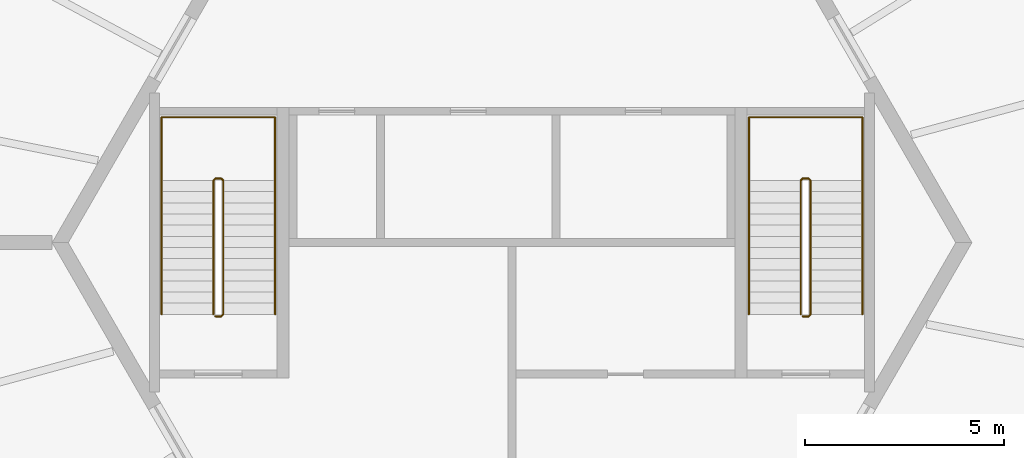
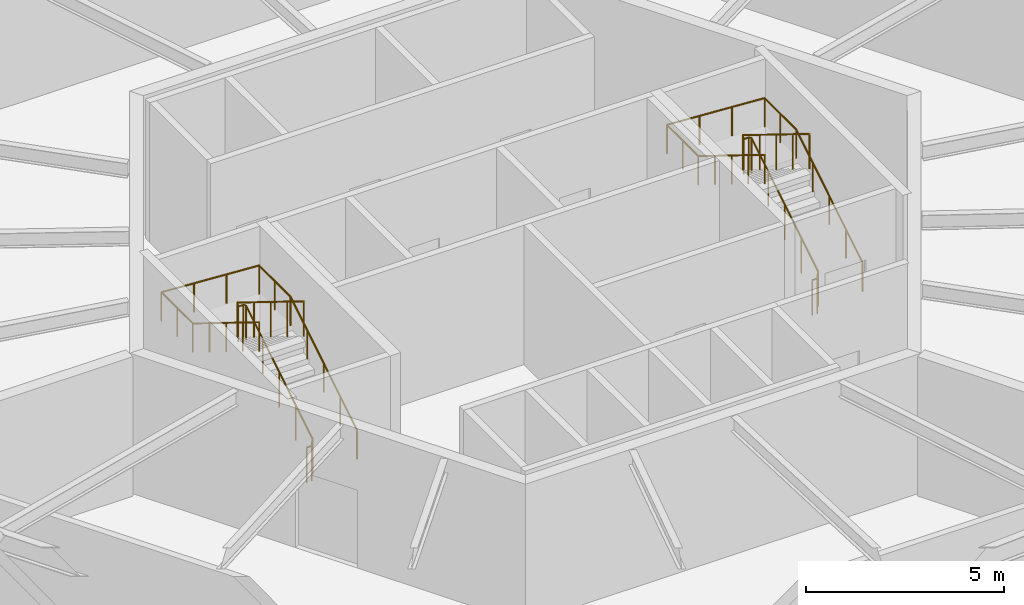
# One storey, part 13 of 13: 4 railings.
"""IFC4 building model written with IfcOpenShell, lengths in metres."""

from ifc_helpers import new_model, si_unit, direction, frame, origin, origin_2d, place, context, subcontext, project, spatial, circle, extrude, material, type_object, element, save


model = new_model("IFC4")

# Units and contexts
model_context = context("Model", 3, precision=1e-05, world=origin(), true_north=direction((0.0, 1.0)))
body_context = subcontext(model_context, "Body", "Model", "MODEL_VIEW")
ifc_project = project(units=[si_unit("LENGTHUNIT", "METRE"), si_unit("AREAUNIT", "SQUARE_METRE"), si_unit("VOLUMEUNIT", "CUBIC_METRE"), si_unit("PLANEANGLEUNIT", "RADIAN"), si_unit("MASSUNIT", "GRAM", prefix="KILO")], contexts=[model_context])

# Site, building, storey
site_placement = place(None, origin())
site = spatial("IfcSite", under=ifc_project, at=site_placement, CompositionType="ELEMENT")
building_placement = place(site_placement, origin())
building = spatial("IfcBuilding", under=site, at=building_placement, Name="Tarnside Tower", CompositionType="ELEMENT")
storey_placement = place(building_placement, frame((0.0, 0.0, 388.199951171875)))
storey = spatial("IfcBuildingStorey", under=building, at=storey_placement, Name="L92", CompositionType="ELEMENT", Elevation=388.199951171875)

# Railings
ifc_material = material(Name="Stainless steel", Category="steel")
railing_type_1 = type_object("IfcRailingType", Name="Stair guard 1100", PredefinedType="GUARDRAIL", material=ifc_material)
railing_1_placement = place(storey_placement, frame((7.300048828125, -1.85009765625, 0.0)))
element("IfcRailing", 1, at=railing_1_placement, inside=storey, type_object=railing_type_1, Name="L92 ST1 stair guard 1", PredefinedType="GUARDRAIL", context=body_context, shape_type="SweptSolid", body=[
    extrude(circle(Radius=0.02392578125, at=origin_2d()), frame((0.0, 0.0, 1.076171875), z_axis=(1.0, 0.0, 0.0), x_axis=(0.0, 1.0, 0.0)), (0.0, 0.0, 1.0), 0.14990234375),
    extrude(circle(Radius=0.02392578125, at=origin_2d()), frame((0.14990234375, 0.0, 1.076171875), z_axis=(0.267629722418, 0.267629722418, 0.925607186314), x_axis=(-0.707106781187, 0.707106781187, 0.0)), (0.0, 0.0, 1.0), 0.18701171875),
    extrude(circle(Radius=0.02392578125, at=origin_2d()), frame((0.199951171875, 0.050048828125, 1.2490234375), z_axis=(0.0, 0.850623216509, 0.525775754039), x_axis=(-1.0, 0.0, 0.0)), (0.0, 0.0, 1.0), 3.9501953125),
    extrude(circle(Radius=0.02392578125, at=origin_2d()), frame((0.199951171875, 3.41015625, 3.326171875), z_axis=(-0.707106781187, 0.707106781187, 0.0), x_axis=(-0.707106781187, -0.707106781187, 0.0)), (0.0, 0.0, 1.0), 0.07080078125),
    extrude(circle(Radius=0.02392578125, at=origin_2d()), frame((0.14990234375, 3.460205078125, 3.326171875), z_axis=(-1.0, 0.0, 0.0), x_axis=(0.0, -1.0, 0.0)), (0.0, 0.0, 1.0), 0.14990234375),
    extrude(circle(Radius=0.02392578125, at=origin_2d()), frame((0.0, 3.460205078125, 3.326171875), z_axis=(-0.267629722418, -0.267629722418, 0.925607186314), x_axis=(0.707106781187, -0.707106781187, 0.0)), (0.0, 0.0, 1.0), 0.18701171875),
    extrude(circle(Radius=0.02392578125, at=origin_2d()), frame((-0.050048828125, 3.41015625, 3.4990234375), z_axis=(0.0, -0.850623216509, 0.525775754039), x_axis=(1.0, 0.0, 0.0)), (0.0, 0.0, 1.0), 3.9501953125),
    extrude(circle(Radius=0.02099609375, at=origin_2d()), origin(), (0.0, 0.0, 1.0), 1.052001953125),
    extrude(circle(Radius=0.02099609375, at=origin_2d()), frame((0.14990234375, 0.0, 0.0)), (0.0, 0.0, 1.0), 1.052001953125),
    extrude(circle(Radius=0.02099609375, at=origin_2d()), frame((0.199951171875, 0.050048828125, 0.173095703125)), (0.0, 0.0, 1.0), 1.052001953125),
    extrude(circle(Radius=0.02099609375, at=origin_2d()), frame((0.199951171875, 0.89013671875, 0.6923828125)), (0.0, 0.0, 1.0), 1.052001953125),
    extrude(circle(Radius=0.02099609375, at=origin_2d()), frame((0.199951171875, 1.72998046875, 1.21142578125)), (0.0, 0.0, 1.0), 1.052001953125),
    extrude(circle(Radius=0.02099609375, at=origin_2d()), frame((0.199951171875, 2.570068359375, 1.730712890625)), (0.0, 0.0, 1.0), 1.052001953125),
    extrude(circle(Radius=0.02099609375, at=origin_2d()), frame((0.199951171875, 3.41015625, 2.25)), (0.0, 0.0, 1.0), 1.052001953125),
    extrude(circle(Radius=0.02099609375, at=origin_2d()), frame((0.14990234375, 3.460205078125, 2.25)), (0.0, 0.0, 1.0), 1.052001953125),
    extrude(circle(Radius=0.02099609375, at=origin_2d()), frame((0.0, 3.460205078125, 2.25)), (0.0, 0.0, 1.0), 1.052001953125),
    extrude(circle(Radius=0.02099609375, at=origin_2d()), frame((-0.050048828125, 3.41015625, 2.423095703125)), (0.0, 0.0, 1.0), 1.052001953125),
    extrude(circle(Radius=0.02099609375, at=origin_2d()), frame((-0.050048828125, 2.570068359375, 2.9423828125)), (0.0, 0.0, 1.0), 1.052001953125),
    extrude(circle(Radius=0.02099609375, at=origin_2d()), frame((-0.050048828125, 1.72998046875, 3.46142578125)), (0.0, 0.0, 1.0), 1.052001953125),
    extrude(circle(Radius=0.02099609375, at=origin_2d()), frame((-0.050048828125, 0.89013671875, 3.980712890625)), (0.0, 0.0, 1.0), 1.052001953125),
    extrude(circle(Radius=0.02099609375, at=origin_2d()), frame((-0.050048828125, 0.050048828125, 4.5)), (0.0, 0.0, 1.0), 1.052001953125),
])
railing_2_placement = place(storey_placement, frame((-7.449951171875, -1.85009765625, 0.0)))
element("IfcRailing", 2, at=railing_2_placement, inside=storey, type_object=railing_type_1, Name="L92 ST2 stair guard 1", PredefinedType="GUARDRAIL", context=body_context, shape_type="SweptSolid", body=[
    extrude(circle(Radius=0.02392578125, at=origin_2d()), frame((0.0, 0.0, 1.076171875), z_axis=(1.0, 0.0, 0.0), x_axis=(0.0, 1.0, 0.0)), (0.0, 0.0, 1.0), 0.14990234375),
    extrude(circle(Radius=0.02392578125, at=origin_2d()), frame((0.14990234375, 0.0, 1.076171875), z_axis=(0.267629722418, 0.267629722418, 0.925607186314), x_axis=(-0.707106781187, 0.707106781187, 0.0)), (0.0, 0.0, 1.0), 0.18701171875),
    extrude(circle(Radius=0.02392578125, at=origin_2d()), frame((0.199951171875, 0.050048828125, 1.2490234375), z_axis=(0.0, 0.850623216509, 0.525775754039), x_axis=(-1.0, 0.0, 0.0)), (0.0, 0.0, 1.0), 3.9501953125),
    extrude(circle(Radius=0.02392578125, at=origin_2d()), frame((0.199951171875, 3.41015625, 3.326171875), z_axis=(-0.707106781187, 0.707106781187, 0.0), x_axis=(-0.707106781187, -0.707106781187, 0.0)), (0.0, 0.0, 1.0), 0.07080078125),
    extrude(circle(Radius=0.02392578125, at=origin_2d()), frame((0.14990234375, 3.460205078125, 3.326171875), z_axis=(-1.0, 0.0, 0.0), x_axis=(0.0, -1.0, 0.0)), (0.0, 0.0, 1.0), 0.14990234375),
    extrude(circle(Radius=0.02392578125, at=origin_2d()), frame((0.0, 3.460205078125, 3.326171875), z_axis=(-0.267629722418, -0.267629722418, 0.925607186314), x_axis=(0.707106781187, -0.707106781187, 0.0)), (0.0, 0.0, 1.0), 0.18701171875),
    extrude(circle(Radius=0.02392578125, at=origin_2d()), frame((-0.050048828125, 3.41015625, 3.4990234375), z_axis=(0.0, -0.850623216509, 0.525775754039), x_axis=(1.0, 0.0, 0.0)), (0.0, 0.0, 1.0), 3.9501953125),
    extrude(circle(Radius=0.02099609375, at=origin_2d()), origin(), (0.0, 0.0, 1.0), 1.052001953125),
    extrude(circle(Radius=0.02099609375, at=origin_2d()), frame((0.14990234375, 0.0, 0.0)), (0.0, 0.0, 1.0), 1.052001953125),
    extrude(circle(Radius=0.02099609375, at=origin_2d()), frame((0.199951171875, 0.050048828125, 0.173095703125)), (0.0, 0.0, 1.0), 1.052001953125),
    extrude(circle(Radius=0.02099609375, at=origin_2d()), frame((0.199951171875, 0.89013671875, 0.6923828125)), (0.0, 0.0, 1.0), 1.052001953125),
    extrude(circle(Radius=0.02099609375, at=origin_2d()), frame((0.199951171875, 1.72998046875, 1.21142578125)), (0.0, 0.0, 1.0), 1.052001953125),
    extrude(circle(Radius=0.02099609375, at=origin_2d()), frame((0.199951171875, 2.570068359375, 1.730712890625)), (0.0, 0.0, 1.0), 1.052001953125),
    extrude(circle(Radius=0.02099609375, at=origin_2d()), frame((0.199951171875, 3.41015625, 2.25)), (0.0, 0.0, 1.0), 1.052001953125),
    extrude(circle(Radius=0.02099609375, at=origin_2d()), frame((0.14990234375, 3.460205078125, 2.25)), (0.0, 0.0, 1.0), 1.052001953125),
    extrude(circle(Radius=0.02099609375, at=origin_2d()), frame((0.0, 3.460205078125, 2.25)), (0.0, 0.0, 1.0), 1.052001953125),
    extrude(circle(Radius=0.02099609375, at=origin_2d()), frame((-0.050048828125, 3.41015625, 2.423095703125)), (0.0, 0.0, 1.0), 1.052001953125),
    extrude(circle(Radius=0.02099609375, at=origin_2d()), frame((-0.050048828125, 2.570068359375, 2.9423828125)), (0.0, 0.0, 1.0), 1.052001953125),
    extrude(circle(Radius=0.02099609375, at=origin_2d()), frame((-0.050048828125, 1.72998046875, 3.46142578125)), (0.0, 0.0, 1.0), 1.052001953125),
    extrude(circle(Radius=0.02099609375, at=origin_2d()), frame((-0.050048828125, 0.89013671875, 3.980712890625)), (0.0, 0.0, 1.0), 1.052001953125),
    extrude(circle(Radius=0.02099609375, at=origin_2d()), frame((-0.050048828125, 0.050048828125, 4.5)), (0.0, 0.0, 1.0), 1.052001953125),
])
railing_type_2 = type_object("IfcRailingType", Name="Stair handrail 900", PredefinedType="HANDRAIL", material=ifc_material)
railing_3_placement = place(storey_placement, frame((8.800048828125, -1.800048828125, 0.173095703125)))
element("IfcRailing", 3, at=railing_3_placement, inside=storey, type_object=railing_type_2, Name="L92 ST1 stair handrail 1", PredefinedType="HANDRAIL", context=body_context, shape_type="SweptSolid", body=[
    extrude(circle(Radius=0.02392578125, at=origin_2d()), frame((0.0, 0.0, 0.8857421875), z_axis=(0.0, 0.850623216509, 0.525775754039), x_axis=(-1.0, 0.0, 0.0)), (0.0, 0.0, 1.0), 3.9501953125),
    extrude(circle(Radius=0.02392578125, at=origin_2d()), frame((0.0, 3.360107421875, 2.962890625), z_axis=(0.0, 1.0, 0.0), x_axis=(-1.0, 0.0, 0.0)), (0.0, 0.0, 1.0), 1.58984375),
    extrude(circle(Radius=0.02392578125, at=origin_2d()), frame((0.0, 4.949951171875, 2.962890625), z_axis=(-0.9981608223, 0.0, 0.060621554138), x_axis=(0.0, -1.0, 0.0)), (0.0, 0.0, 1.0), 2.85546875),
    extrude(circle(Radius=0.02392578125, at=origin_2d()), frame((-2.85009765625, 4.949951171875, 3.1357421875), z_axis=(0.0, -1.0, 0.0), x_axis=(1.0, 0.0, 0.0)), (0.0, 0.0, 1.0), 1.58984375),
    extrude(circle(Radius=0.02392578125, at=origin_2d()), frame((-2.85009765625, 3.360107421875, 3.1357421875), z_axis=(0.0, -0.850623216509, 0.525775754039), x_axis=(1.0, 0.0, 0.0)), (0.0, 0.0, 1.0), 3.9501953125),
    extrude(circle(Radius=0.02099609375, at=origin_2d()), origin(), (0.0, 0.0, 1.0), 0.86181640625),
    extrude(circle(Radius=0.02099609375, at=origin_2d()), frame((0.0, 0.840087890625, 0.519287109375)), (0.0, 0.0, 1.0), 0.86181640625),
    extrude(circle(Radius=0.02099609375, at=origin_2d()), frame((0.0, 1.68017578125, 1.03857421875)), (0.0, 0.0, 1.0), 0.86181640625),
    extrude(circle(Radius=0.02099609375, at=origin_2d()), frame((0.0, 2.52001953125, 1.5576171875)), (0.0, 0.0, 1.0), 0.86181640625),
    extrude(circle(Radius=0.02099609375, at=origin_2d()), frame((0.0, 3.360107421875, 2.076904296875)), (0.0, 0.0, 1.0), 0.86181640625),
    extrude(circle(Radius=0.02099609375, at=origin_2d()), frame((0.0, 4.155029296875, 2.076904296875)), (0.0, 0.0, 1.0), 0.86181640625),
    extrude(circle(Radius=0.02099609375, at=origin_2d()), frame((0.0, 4.949951171875, 2.076904296875)), (0.0, 0.0, 1.0), 0.86181640625),
    extrude(circle(Radius=0.02099609375, at=origin_2d()), frame((-0.949951171875, 4.949951171875, 2.134521484375)), (0.0, 0.0, 1.0), 0.86181640625),
    extrude(circle(Radius=0.02099609375, at=origin_2d()), frame((-1.900146484375, 4.949951171875, 2.1923828125)), (0.0, 0.0, 1.0), 0.86181640625),
    extrude(circle(Radius=0.02099609375, at=origin_2d()), frame((-2.85009765625, 4.949951171875, 2.25)), (0.0, 0.0, 1.0), 0.86181640625),
    extrude(circle(Radius=0.02099609375, at=origin_2d()), frame((-2.85009765625, 4.155029296875, 2.25)), (0.0, 0.0, 1.0), 0.86181640625),
    extrude(circle(Radius=0.02099609375, at=origin_2d()), frame((-2.85009765625, 3.360107421875, 2.25)), (0.0, 0.0, 1.0), 0.86181640625),
    extrude(circle(Radius=0.02099609375, at=origin_2d()), frame((-2.85009765625, 2.52001953125, 2.769287109375)), (0.0, 0.0, 1.0), 0.86181640625),
    extrude(circle(Radius=0.02099609375, at=origin_2d()), frame((-2.85009765625, 1.68017578125, 3.28857421875)), (0.0, 0.0, 1.0), 0.86181640625),
    extrude(circle(Radius=0.02099609375, at=origin_2d()), frame((-2.85009765625, 0.840087890625, 3.8076171875)), (0.0, 0.0, 1.0), 0.86181640625),
    extrude(circle(Radius=0.02099609375, at=origin_2d()), frame((-2.85009765625, 0.0, 4.326904296875)), (0.0, 0.0, 1.0), 0.86181640625),
])
railing_4_placement = place(storey_placement, frame((-5.949951171875, -1.800048828125, 0.173095703125)))
element("IfcRailing", 4, at=railing_4_placement, inside=storey, type_object=railing_type_2, Name="L92 ST2 stair handrail 1", PredefinedType="HANDRAIL", context=body_context, shape_type="SweptSolid", body=[
    extrude(circle(Radius=0.02392578125, at=origin_2d()), frame((0.0, 0.0, 0.8857421875), z_axis=(0.0, 0.850623216509, 0.525775754039), x_axis=(-1.0, 0.0, 0.0)), (0.0, 0.0, 1.0), 3.9501953125),
    extrude(circle(Radius=0.02392578125, at=origin_2d()), frame((0.0, 3.360107421875, 2.962890625), z_axis=(0.0, 1.0, 0.0), x_axis=(-1.0, 0.0, 0.0)), (0.0, 0.0, 1.0), 1.58984375),
    extrude(circle(Radius=0.02392578125, at=origin_2d()), frame((0.0, 4.949951171875, 2.962890625), z_axis=(-0.9981608223, 0.0, 0.060621554138), x_axis=(0.0, -1.0, 0.0)), (0.0, 0.0, 1.0), 2.85546875),
    extrude(circle(Radius=0.02392578125, at=origin_2d()), frame((-2.85009765625, 4.949951171875, 3.1357421875), z_axis=(0.0, -1.0, 0.0), x_axis=(1.0, 0.0, 0.0)), (0.0, 0.0, 1.0), 1.58984375),
    extrude(circle(Radius=0.02392578125, at=origin_2d()), frame((-2.85009765625, 3.360107421875, 3.1357421875), z_axis=(0.0, -0.850623216509, 0.525775754039), x_axis=(1.0, 0.0, 0.0)), (0.0, 0.0, 1.0), 3.9501953125),
    extrude(circle(Radius=0.02099609375, at=origin_2d()), origin(), (0.0, 0.0, 1.0), 0.86181640625),
    extrude(circle(Radius=0.02099609375, at=origin_2d()), frame((0.0, 0.840087890625, 0.519287109375)), (0.0, 0.0, 1.0), 0.86181640625),
    extrude(circle(Radius=0.02099609375, at=origin_2d()), frame((0.0, 1.68017578125, 1.03857421875)), (0.0, 0.0, 1.0), 0.86181640625),
    extrude(circle(Radius=0.02099609375, at=origin_2d()), frame((0.0, 2.52001953125, 1.5576171875)), (0.0, 0.0, 1.0), 0.86181640625),
    extrude(circle(Radius=0.02099609375, at=origin_2d()), frame((0.0, 3.360107421875, 2.076904296875)), (0.0, 0.0, 1.0), 0.86181640625),
    extrude(circle(Radius=0.02099609375, at=origin_2d()), frame((0.0, 4.155029296875, 2.076904296875)), (0.0, 0.0, 1.0), 0.86181640625),
    extrude(circle(Radius=0.02099609375, at=origin_2d()), frame((0.0, 4.949951171875, 2.076904296875)), (0.0, 0.0, 1.0), 0.86181640625),
    extrude(circle(Radius=0.02099609375, at=origin_2d()), frame((-0.949951171875, 4.949951171875, 2.134521484375)), (0.0, 0.0, 1.0), 0.86181640625),
    extrude(circle(Radius=0.02099609375, at=origin_2d()), frame((-1.900146484375, 4.949951171875, 2.1923828125)), (0.0, 0.0, 1.0), 0.86181640625),
    extrude(circle(Radius=0.02099609375, at=origin_2d()), frame((-2.85009765625, 4.949951171875, 2.25)), (0.0, 0.0, 1.0), 0.86181640625),
    extrude(circle(Radius=0.02099609375, at=origin_2d()), frame((-2.85009765625, 4.155029296875, 2.25)), (0.0, 0.0, 1.0), 0.86181640625),
    extrude(circle(Radius=0.02099609375, at=origin_2d()), frame((-2.85009765625, 3.360107421875, 2.25)), (0.0, 0.0, 1.0), 0.86181640625),
    extrude(circle(Radius=0.02099609375, at=origin_2d()), frame((-2.85009765625, 2.52001953125, 2.769287109375)), (0.0, 0.0, 1.0), 0.86181640625),
    extrude(circle(Radius=0.02099609375, at=origin_2d()), frame((-2.85009765625, 1.68017578125, 3.28857421875)), (0.0, 0.0, 1.0), 0.86181640625),
    extrude(circle(Radius=0.02099609375, at=origin_2d()), frame((-2.85009765625, 0.840087890625, 3.8076171875)), (0.0, 0.0, 1.0), 0.86181640625),
    extrude(circle(Radius=0.02099609375, at=origin_2d()), frame((-2.85009765625, 0.0, 4.326904296875)), (0.0, 0.0, 1.0), 0.86181640625),
])

save(model, "model.ifc")
